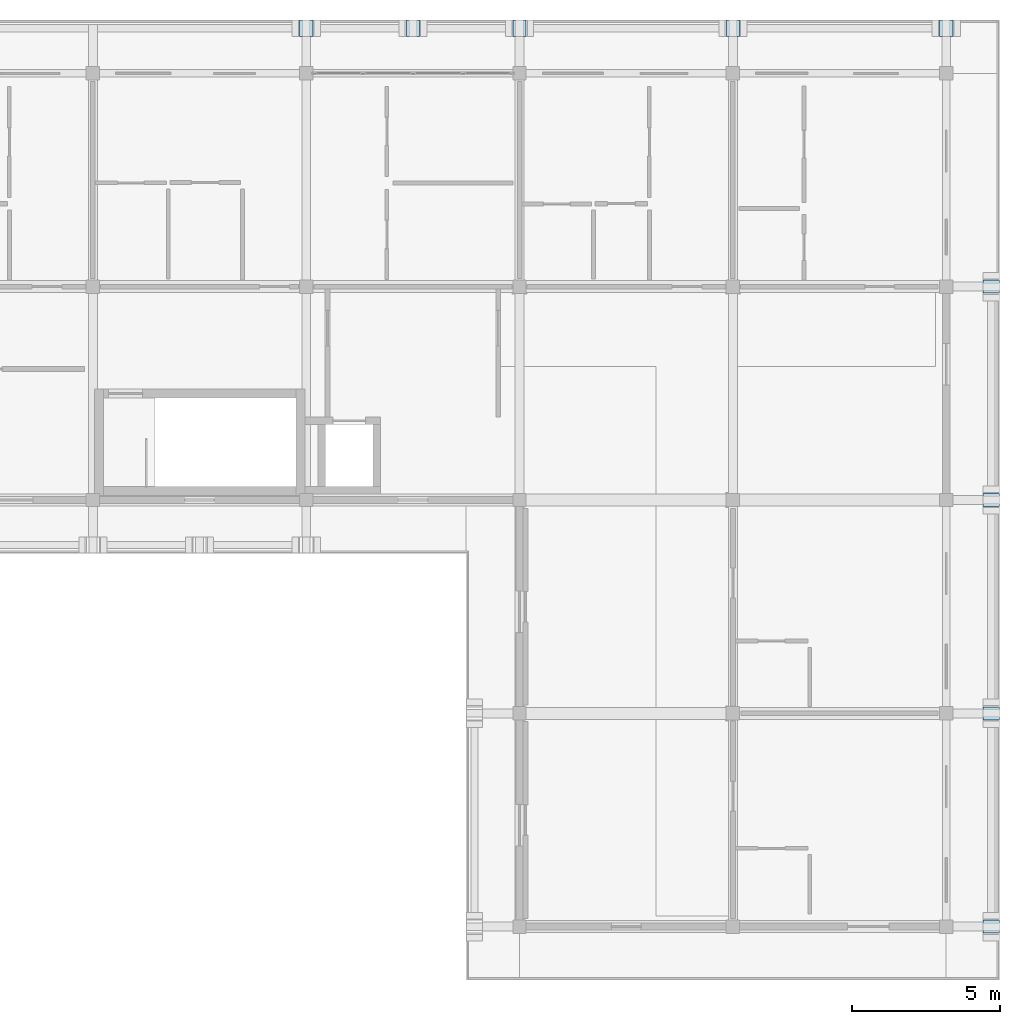
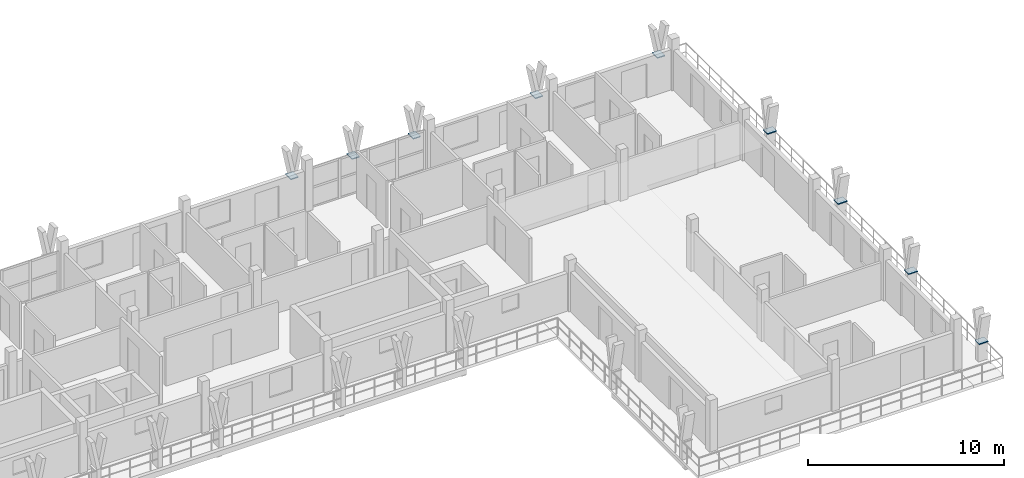
# One storey, part 18 of 32: 9 plates.
"""IFC4 building model written with IfcOpenShell, lengths in metres."""

from ifc_helpers import new_model, si_unit, direction, frame, origin, origin_2d, place, context, subcontext, project, spatial, rectangle, extrude, material, layer, layer_set, type_object, element, save


model = new_model("IFC4")

# Units and contexts
model_context = context("Model", 3, precision=1e-05, world=origin(), true_north=direction((0.0, 1.0)))
body_context = subcontext(model_context, "Body", "Model", "MODEL_VIEW")
ifc_project = project(units=[si_unit("LENGTHUNIT", "METRE"), si_unit("AREAUNIT", "SQUARE_METRE"), si_unit("VOLUMEUNIT", "CUBIC_METRE"), si_unit("PLANEANGLEUNIT", "RADIAN"), si_unit("MASSUNIT", "GRAM", prefix="KILO")], contexts=[model_context])

# Site, building, storey
site_placement = place(None, origin())
site = spatial("IfcSite", under=ifc_project, at=site_placement, CompositionType="ELEMENT")
building_placement = place(site_placement, origin())
building = spatial("IfcBuilding", under=site, at=building_placement, Name="Suanplinth Sawtooth Commons", CompositionType="ELEMENT")
storey_placement = place(building_placement, frame((0.0, 0.0, 41.199951171875)))
storey = spatial("IfcBuildingStorey", under=building, at=storey_placement, Name="L12", CompositionType="ELEMENT", Elevation=41.199951171875)

# Plates
ifc_material = material(Name="Pigmented precast concrete C40/50", Category="concrete")
ifc_layer = layer(ifc_material, 0.06005859375, Name="Precast Y-blade bifurcation node plate 60mm")
ifc_layer_set = layer_set([ifc_layer], Name="Pigmented precast concrete C40/50")
plate_type = type_object("IfcPlateType", Name="PL-04", PredefinedType="USERDEFINED", material=ifc_layer_set)
for number, where, z_axis, x_axis, name in (
    (1, (165.60009765625, 123.919921875, 1.1201171875), (0.0, 0.0, 1.0), (1.0, 0.0, 0.0), "Y-Blade Node Plate L12-B-N-05"),
    (2, (169.199951171875, 123.919921875, 1.1201171875), (0.0, 0.0, 1.0), (1.0, 0.0, 0.0), "Y-Blade Node Plate L12-B-N-06"),
    (3, (172.800048828125, 123.919921875, 1.1201171875), (0.0, 0.0, 1.0), (1.0, 0.0, 0.0), "Y-Blade Node Plate L12-B-N-07"),
    (4, (180.0, 123.919921875, 1.1201171875), (0.0, 0.0, 1.0), (1.0, 0.0, 0.0), "Y-Blade Node Plate L12-B-N-08"),
    (5, (187.199951171875, 123.919921875, 1.1201171875), (0.0, 0.0, 1.0), (1.0, 0.0, 0.0), "Y-Blade Node Plate L12-B-N-09"),
    (6, (188.719970703125, 93.60009765625, 1.1201171875), (0.0, 0.0, 1.0), (0.0, 1.0, 0.0), "Y-Blade Node Plate L12-B-E-10"),
    (7, (188.719970703125, 100.800048828125, 1.1201171875), (0.0, 0.0, 1.0), (0.0, 1.0, 0.0), "Y-Blade Node Plate L12-B-E-11"),
    (8, (188.719970703125, 108.0, 1.1201171875), (0.0, 0.0, 1.0), (0.0, 1.0, 0.0), "Y-Blade Node Plate L12-B-E-12"),
    (9, (188.719970703125, 115.199951171875, 1.1201171875), (0.0, 0.0, 1.0), (0.0, 1.0, 0.0), "Y-Blade Node Plate L12-B-E-13"),
):
    element("IfcPlate", number, at=place(storey_placement, frame(where, z_axis=z_axis, x_axis=x_axis)), inside=storey, type_object=plate_type, Name=name, ObjectType="GUSSET PLATE", PredefinedType="USERDEFINED", context=body_context, shape_type="SweptSolid", body=[
        extrude(rectangle(XDim=0.43994140625, YDim=0.550048828125, at=origin_2d()), origin(), (0.0, 0.0, 1.0), 0.06005859375),
    ])

save(model, "model.ifc")
